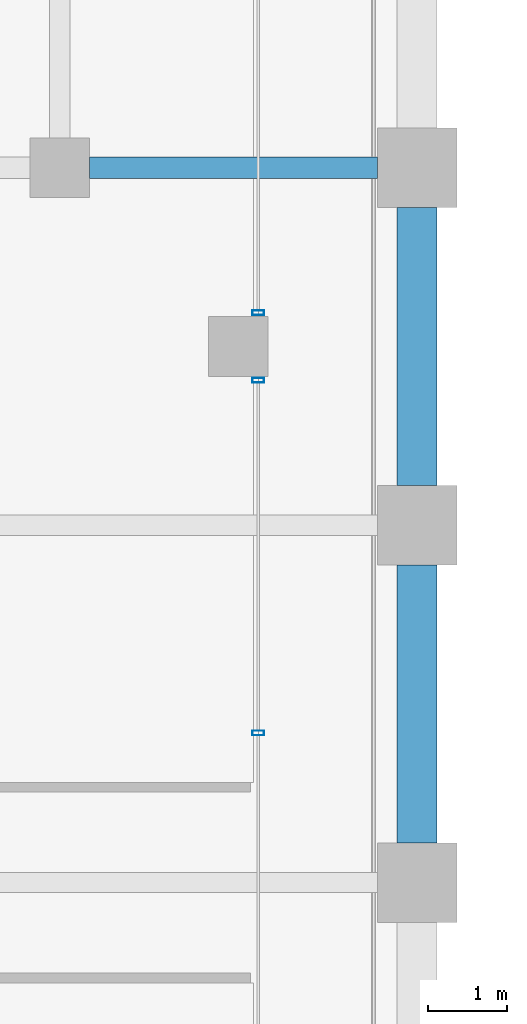
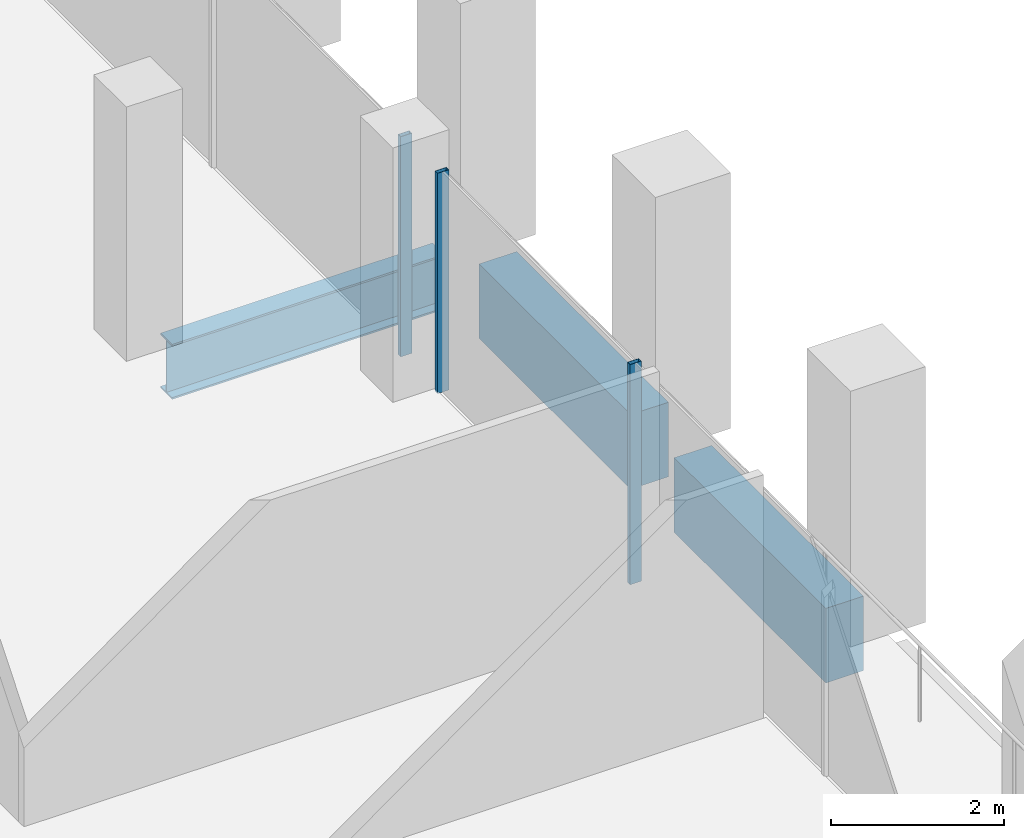
# One storey, part 19 of 46: 3 beams, 3 members, 2 elements without a shape of their own.
"""IFC4 building model written with IfcOpenShell, lengths in metres."""

from ifc_helpers import new_model, si_unit, direction, frame, origin, origin_2d, place, context, subcontext, project, spatial, rectangle, hollow_rectangle, i_section, extrude, material, material_profile, profile_set, type_object, element, aggregate, save


model = new_model("IFC4")

# Units and contexts
model_context = context("Model", 3, precision=1e-05, world=origin(), true_north=direction((0.0, 1.0)))
body_context = subcontext(model_context, "Body", "Model", "MODEL_VIEW")
ifc_project = project(units=[si_unit("LENGTHUNIT", "METRE"), si_unit("AREAUNIT", "SQUARE_METRE"), si_unit("VOLUMEUNIT", "CUBIC_METRE"), si_unit("PLANEANGLEUNIT", "RADIAN"), si_unit("MASSUNIT", "GRAM", prefix="KILO")], contexts=[model_context])

# Site, building, storey
site_placement = place(None, origin())
site = spatial("IfcSite", under=ifc_project, at=site_placement, CompositionType="ELEMENT")
building_placement = place(site_placement, origin())
building = spatial("IfcBuilding", under=site, at=building_placement, Name="Altepetl Exchange Towers", CompositionType="ELEMENT")
storey_placement = place(building_placement, frame((0.0, 0.0, 128.0)))
storey = spatial("IfcBuildingStorey", under=building, at=storey_placement, Name="L31", CompositionType="ELEMENT", Elevation=128.0)

# Beam
ifc_material_1 = material(Name="Steel S355", Category="steel")
ifc_material_profile_1 = material_profile(ifc_material_1, i_section(OverallWidth=0.26806640625, OverallDepth=0.77392578125, WebThickness=0.015380859375, FlangeThickness=0.025390625, at=origin_2d()), Name="W30X132")
ifc_profile_set_1 = profile_set([ifc_material_profile_1], Name="Steel S355")
beam_type_1 = type_object("IfcBeamType", Name="Girder W30X132", PredefinedType="BEAM", material=ifc_profile_set_1)
beam_placement = place(storey_placement, frame((67.875, 58.5, -0.537109375), z_axis=(1.0, 0.0, 0.0), x_axis=(0.0, 1.0, 0.0)))
element("IfcBeam", 1, at=beam_placement, inside=storey, type_object=beam_type_1, Name="gd:A:L31:002", PredefinedType="BEAM", context=body_context, shape_type="SweptSolid", body=[
    extrude(i_section(OverallWidth=0.26806640625, OverallDepth=0.77392578125, WebThickness=0.015380859375, FlangeThickness=0.025390625, at=origin_2d()), origin(), (0.0, 0.0, 1.0), 3.625),
])

# Curtain wall, members
ifc_material_2 = material(Name="Aluminium 6063-T6 glazing", Category="aluminium")
curtain_wall_type = type_object("IfcCurtainWallType", Name="Loggia glazing system", PredefinedType="NOTDEFINED", material=ifc_material_2)
curtain_wall_1_placement = place(storey_placement, origin())
curtain_wall_1 = element("IfcCurtainWall", 2, at=curtain_wall_1_placement, inside=storey, type_object=curtain_wall_type, Name="CW1 run", PredefinedType="NOTDEFINED")
ifc_material_3 = material(Name="Aluminium 6063-T6", Category="aluminium")
ifc_material_profile_2 = material_profile(ifc_material_3, hollow_rectangle(XDim=0.06005859375, YDim=0.14990234375, WallThickness=0.0029296875, at=origin_2d()), Name="Mullion 60x150 aluminium")
ifc_profile_set_2 = profile_set([ifc_material_profile_2], Name="Aluminium 6063-T6")
member_type = type_object("IfcMemberType", Name="Mullion 60x150 aluminium", PredefinedType="MULLION", material=ifc_profile_set_2)
member_1_placement = place(storey_placement, frame((70.0, 51.384033203125, 0.0), z_axis=(0.0, 0.0, 1.0), x_axis=(0.0, 1.0, 0.0)))
member_1 = element("IfcMember", 3, at=member_1_placement, type_object=member_type, Name="MU1 mullion", PredefinedType="MULLION", context=body_context, shape_type="SweptSolid", body=[
    extrude(hollow_rectangle(XDim=0.06005859375, YDim=0.14990234375, WallThickness=0.0029296875, at=origin_2d()), origin(), (0.0, 0.0, 1.0), 3.10009765625),
])
member_2_placement = place(storey_placement, frame((70.0, 55.824951171875, 0.0), z_axis=(0.0, 0.0, 1.0), x_axis=(0.0, 1.0, 0.0)))
member_2 = element("IfcMember", 4, at=member_2_placement, type_object=member_type, Name="MU1 mullion", PredefinedType="MULLION", context=body_context, shape_type="SweptSolid", body=[
    extrude(hollow_rectangle(XDim=0.06005859375, YDim=0.14990234375, WallThickness=0.0029296875, at=origin_2d()), origin(), (0.0, 0.0, 1.0), 3.10009765625),
])
aggregate(curtain_wall_1, [member_1, member_2])

# Curtain wall, member
curtain_wall_2_placement = place(storey_placement, origin())
curtain_wall_2 = element("IfcCurtainWall", 5, at=curtain_wall_2_placement, inside=storey, type_object=curtain_wall_type, Name="CW1 run", PredefinedType="NOTDEFINED")
member_3_placement = place(storey_placement, frame((70.0, 56.675048828125, 0.0), z_axis=(0.0, 0.0, 1.0), x_axis=(0.0, 1.0, 0.0)))
member_3 = element("IfcMember", 6, at=member_3_placement, type_object=member_type, Name="MU1 mullion", PredefinedType="MULLION", context=body_context, shape_type="SweptSolid", body=[
    extrude(hollow_rectangle(XDim=0.06005859375, YDim=0.14990234375, WallThickness=0.0029296875, at=origin_2d()), origin(), (0.0, 0.0, 1.0), 3.10009765625),
])
aggregate(curtain_wall_2, [member_3])

# Beams
ifc_material_4 = material(Name="Concrete C50/60 precast with cantera amarilla facing", Category="concrete")
ifc_material_profile_3 = material_profile(ifc_material_4, rectangle(XDim=0.5, YDim=1.050048828125, at=origin_2d()), Name="500 x 1050")
ifc_profile_set_3 = profile_set([ifc_material_profile_3], Name="Concrete C50/60 precast with cantera amarilla facing")
beam_type_2 = type_object("IfcBeamType", Name="Spandrel beam 500x1050 cantera amarilla", PredefinedType="SPANDREL", material=ifc_profile_set_3)
for number, where, z_axis, x_axis, name in (
    (7, (72.0, 50.0, -0.675048828125), (0.0, 1.0, 0.0), (-1.0, 0.0, 0.0), "sp:A:L31:016"),
    (8, (72.0, 54.5, -0.675048828125), (0.0, 1.0, 0.0), (-1.0, 0.0, 0.0), "sp:A:L31:017"),
):
    element("IfcBeam", number, at=place(storey_placement, frame(where, z_axis=z_axis, x_axis=x_axis)), inside=storey, type_object=beam_type_2, Name=name, PredefinedType="SPANDREL", context=body_context, shape_type="SweptSolid", body=[
        extrude(rectangle(XDim=0.5, YDim=1.050048828125, at=origin_2d()), origin(), (0.0, 0.0, 1.0), 3.5),
    ])

save(model, "model.ifc")
